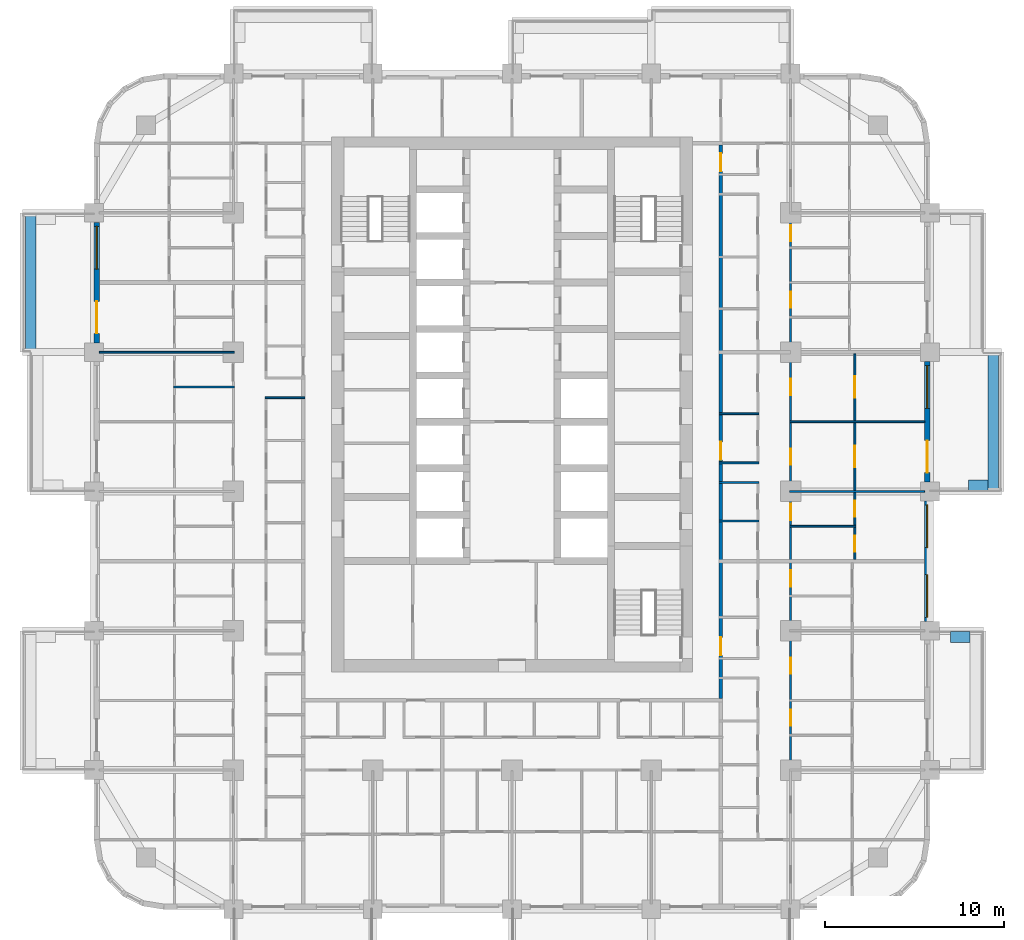
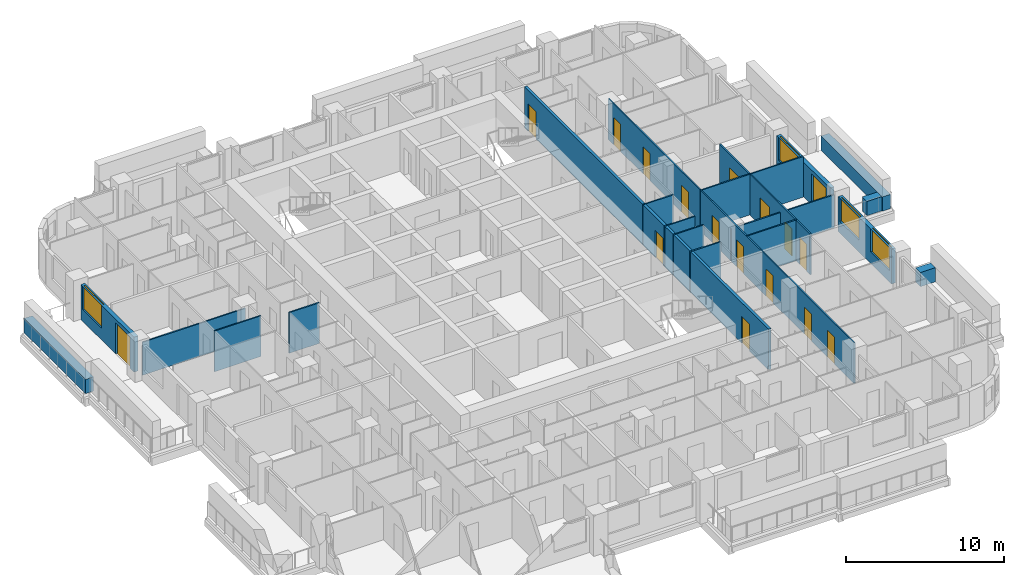
# One storey, part 9 of 18: 20 walls, 17 doors, 4 windows, 21 openings.
"""IFC4 building model written with IfcOpenShell, lengths in metres."""

import ifcopenshell
import ifcopenshell.guid

model = None  # the IFC model being written
_history = None  # IfcOwnerHistory: only IFC2X3 demands one
_inside = {}  # id of a spatial element -> (the spatial element, [elements in it])
_under = {}  # id of a project, library or spatial element -> (it, [spatial elements below it])
_declared = {}  # id of a project -> (the project, [libraries it declares])
_typed = {}  # id of a type object -> (the type object, [elements of that type])
_made_of = {}  # id of a material, layer set ... -> (it, [elements and type objects made of it])


def new_model(schema):
    """Start an empty IFC model of exactly this schema.

    Asked for "IFC4X3", IfcOpenShell would pick the latest addendum, in which some entities
    have other attributes; the version numbers below select the first issue.
    IFC2X3 requires an IfcOwnerHistory on every rooted entity: one is made here for all.
    """
    global model, _history
    if schema == "IFC4X3":
        model = ifcopenshell.file(schema_version=(4, 3, 0, 0))
    else:
        model = ifcopenshell.file(schema=schema)
    _inside.clear()
    _under.clear()
    _declared.clear()
    _typed.clear()
    _made_of.clear()
    _history = None
    if model.schema == "IFC2X3":
        org = make("IfcOrganization", Name="unknown")
        user = make(
            "IfcPersonAndOrganization",
            ThePerson=make("IfcPerson", FamilyName="unknown"),
            TheOrganization=org,
        )
        app = make(
            "IfcApplication",
            ApplicationDeveloper=org,
            Version="unknown",
            ApplicationFullName="unknown",
            ApplicationIdentifier="unknown",
        )
        _history = make(
            "IfcOwnerHistory",
            OwningUser=user,
            OwningApplication=app,
            ChangeAction="ADDED",
            CreationDate=0,
        )
    return model


def make(cls, **values):
    """One entity of the class cls with the attributes given. An attribute that is None is left unset."""
    return model.create_entity(
        cls, **{name: value for name, value in values.items() if value is not None}
    )


def rooted(cls, **values):
    """An entity with a GlobalId (a new one), such as an element, a storey or a relation."""
    return make(cls, GlobalId=ifcopenshell.guid.new(), OwnerHistory=_history, **values)


def si_unit(unit_type, name, prefix=None):
    """IfcSIUnit, for example si_unit("LENGTHUNIT", "METRE", prefix="MILLI")."""
    return make("IfcSIUnit", UnitType=unit_type, Prefix=prefix, Name=name)


def assignment(units):
    """IfcUnitAssignment: the units of a project."""
    return None if units is None else make("IfcUnitAssignment", Units=units)


def point(xyz):
    """IfcCartesianPoint."""
    return None if xyz is None else make("IfcCartesianPoint", Coordinates=xyz)


def direction(xyz):
    """IfcDirection."""
    return None if xyz is None else make("IfcDirection", DirectionRatios=xyz)


def frame(location, z_axis=None, x_axis=None):
    """IfcAxis2Placement3D, a coordinate frame: its origin and axes. An axis left out is left unset."""
    return make(
        "IfcAxis2Placement3D",
        Location=point(location),
        Axis=direction(z_axis),
        RefDirection=direction(x_axis),
    )


def frame_2d(location, x_axis=None):
    """IfcAxis2Placement2D, a coordinate frame in the plane: its origin and x axis."""
    return make(
        "IfcAxis2Placement2D", Location=point(location), RefDirection=direction(x_axis)
    )


def origin():
    """The frame at (0, 0, 0) with its axes left unset."""
    return frame((0.0, 0.0, 0.0))


def place(relative_to, where):
    """IfcLocalPlacement: puts the frame where relative to a parent placement (None: the world)."""
    return make(
        "IfcLocalPlacement", PlacementRelTo=relative_to, RelativePlacement=where
    )


def context(
    kind, dimensions, precision=None, world=None, true_north=None, identifier=None
):
    """IfcGeometricRepresentationContext, for example the 3D "Model" context."""
    return make(
        "IfcGeometricRepresentationContext",
        ContextIdentifier=identifier,
        ContextType=kind,
        CoordinateSpaceDimension=dimensions,
        Precision=precision,
        WorldCoordinateSystem=world,
        TrueNorth=true_north,
    )


def subcontext(parent, identifier, kind, view, scale=None):
    """IfcGeometricRepresentationSubContext, for example "Body" below "Model"."""
    return make(
        "IfcGeometricRepresentationSubContext",
        ContextIdentifier=identifier,
        ContextType=kind,
        ParentContext=parent,
        TargetScale=scale,
        TargetView=view,
    )


def project(units=None, contexts=None):
    """IfcProject with its units and contexts."""
    return rooted(
        "IfcProject",
        Name="project",
        RepresentationContexts=contexts,
        UnitsInContext=assignment(units),
    )


def spatial(cls, under=None, at=None, **own):
    """A site, building, storey or space (cls), placed at a placement, below another one or the project."""
    s = rooted(cls, ObjectPlacement=at, **own)
    if under is not None:
        _under.setdefault(under.id(), (under, []))[1].append(s)
    return s


def profile(cls, at=None, kind="AREA", **sizes):
    """A parametric profile (cls). Its sizes go by their IFC names, for example OverallWidth=200.0."""
    return make(cls, ProfileType=kind, Position=at, **sizes)


def rectangle(**sizes):
    """IfcRectangleProfileDef."""
    return profile("IfcRectangleProfileDef", **sizes)


def extrude(swept, where, along, depth):
    """IfcExtrudedAreaSolid: the profile swept, set in the frame where, extruded along a direction by depth."""
    return make(
        "IfcExtrudedAreaSolid",
        SweptArea=swept,
        Position=where,
        ExtrudedDirection=direction(along),
        Depth=depth,
    )


def shape(context_of_items, identifier, shape_type, items):
    """IfcShapeRepresentation: the items that make up one representation, for example the "Body"."""
    return make(
        "IfcShapeRepresentation",
        ContextOfItems=context_of_items,
        RepresentationIdentifier=identifier,
        RepresentationType=shape_type,
        Items=items,
    )


def material(Name=None, Category=None):
    """IfcMaterial."""
    return make("IfcMaterial", Name=Name, Category=Category)


def layer(
    of_material, thickness, ventilated=None, Name=None, Category=None, Priority=None
):
    """IfcMaterialLayer: one layer of a wall or slab, of a material (None: an air gap)."""
    return make(
        "IfcMaterialLayer",
        Material=of_material,
        LayerThickness=thickness,
        IsVentilated=ventilated,
        Name=Name,
        Category=Category,
        Priority=Priority,
    )


def layer_set(layers, Name=None):
    """IfcMaterialLayerSet."""
    return make("IfcMaterialLayerSet", MaterialLayers=layers, LayerSetName=Name)


def made_of(thing, what):
    """Note that an element or type object is made of a material, layer set ...; save() writes the relation."""
    if what is not None:
        _made_of.setdefault(what.id(), (what, []))[1].append(thing)
    return thing


def type_object(cls, material=None, **own):
    """A type object (cls), such as IfcWallType, which elements share."""
    return made_of(rooted(cls, **own), material)


def element(
    cls,
    number,
    at=None,
    inside=None,
    cuts=None,
    type_object=None,
    material=None,
    context=None,
    identifier="Body",
    shape_type=None,
    held_by="IfcProductDefinitionShape",
    body=None,
    shapes=None,
    **own,
):
    """One element of the class cls, such as IfcWall. Its Tag is "e" and its number.

    at: its placement. inside: the storey or other place that contains it. cuts: it is an
    opening in that element (IfcRelVoidsElement). A single representation is given by context,
    identifier, shape_type and body (its items); several are given by shapes. held_by: the class
    of the entity that holds the representations. save() writes the other relations.
    """
    e = rooted(cls, Tag="e%d" % number, ObjectPlacement=at, **own)
    if body is not None:
        shapes = [shape(context, identifier, shape_type, body)]
    if shapes is not None:
        e.Representation = make(held_by, Representations=shapes)
    if inside is not None:
        _inside.setdefault(inside.id(), (inside, []))[1].append(e)
    if cuts is not None:
        rooted(
            "IfcRelVoidsElement", RelatingBuildingElement=cuts, RelatedOpeningElement=e
        )
    if type_object is not None:
        _typed.setdefault(type_object.id(), (type_object, []))[1].append(e)
    return made_of(e, material)


def fill(opening, filler):
    """IfcRelFillsElement: the door or window that sits in an opening."""
    return rooted(
        "IfcRelFillsElement",
        RelatingOpeningElement=opening,
        RelatedBuildingElement=filler,
    )


def aggregate(whole, parts):
    """IfcRelAggregates: a whole, such as a stair, and the parts it consists of."""
    return rooted("IfcRelAggregates", RelatingObject=whole, RelatedObjects=parts)


def save(model, path):
    """Write the relations noted so far, then the file.

    IfcRelAggregates (storeys below a building ...), IfcRelContainedInSpatialStructure (elements
    in a storey), IfcRelDefinesByType, IfcRelAssociatesMaterial and IfcRelDeclares: one each for
    every whole, place, type object, material and project.
    """
    for whole, parts in _under.values():
        aggregate(whole, parts)
    for where, things in _inside.values():
        rooted(
            "IfcRelContainedInSpatialStructure",
            RelatedElements=things,
            RelatingStructure=where,
        )
    for kind, things in _typed.values():
        rooted("IfcRelDefinesByType", RelatedObjects=things, RelatingType=kind)
    for what, things in _made_of.values():
        rooted("IfcRelAssociatesMaterial", RelatedObjects=things, RelatingMaterial=what)
    for by, libraries in _declared.values():
        rooted("IfcRelDeclares", RelatingContext=by, RelatedDefinitions=libraries)
    model.write(path)


model = new_model("IFC4")

# Units and contexts
model_context = context("Model", 3, precision=1e-05, world=origin(), true_north=direction((0.0, 1.0)))
body_context = subcontext(model_context, "Body", "Model", "MODEL_VIEW")
ifc_project = project(units=[si_unit("LENGTHUNIT", "METRE"), si_unit("AREAUNIT", "SQUARE_METRE"), si_unit("VOLUMEUNIT", "CUBIC_METRE"), si_unit("PLANEANGLEUNIT", "RADIAN"), si_unit("MASSUNIT", "GRAM", prefix="KILO")], contexts=[model_context])

# Site, building, storey
site_placement = place(None, origin())
site = spatial("IfcSite", under=ifc_project, at=site_placement, CompositionType="ELEMENT")
building_placement = place(site_placement, origin())
building = spatial("IfcBuilding", under=site, at=building_placement, Name="Ludao Terraces", CompositionType="ELEMENT")
storey_placement = place(building_placement, frame((0.0, 0.0, 33.10009765625)))
storey = spatial("IfcBuildingStorey", under=building, at=storey_placement, Name="L08", CompositionType="ELEMENT", Elevation=33.10009765625)

# Walls
ifc_material_1 = material(Name="Concrete C40", Category="concrete")
ifc_layer_1 = layer(ifc_material_1, 0.60009765625)
ifc_layer_set_1 = layer_set([ifc_layer_1], Name="ENV Planter trough 600")
wall_type_1 = type_object("IfcWallType", Name="ENV Planter trough 600", PredefinedType="USERDEFINED", material=ifc_layer_set_1)
wall_1_placement = place(storey_placement, frame((110.64990234375, 56.85009765625, 0.0), z_axis=(0.0, 0.0, 1.0), x_axis=(-1.0, 0.0, 0.0)))
element("IfcWall", 1, at=wall_1_placement, inside=storey, type_object=wall_type_1, Name="PL-L08-E1-SB", ObjectType="PLANTER", PredefinedType="USERDEFINED", context=body_context, shape_type="SweptSolid", body=[
    extrude(rectangle(XDim=1.099853515625, YDim=0.60009765625, at=frame_2d((0.5498046875, 0.0))), origin(), (0.0, 0.0, 1.0), 1.099853515625),
])
wall_2_placement = place(storey_placement, frame((111.949951171875, 65.0, 0.0), z_axis=(0.0, 0.0, 1.0), x_axis=(0.0, 1.0, 0.0)))
element("IfcWall", 2, at=wall_2_placement, inside=storey, type_object=wall_type_1, Name="PL-L08-E3", ObjectType="PLANTER", PredefinedType="USERDEFINED", context=body_context, shape_type="SweptSolid", body=[
    extrude(rectangle(XDim=7.800048828125, YDim=0.60009765625, at=frame_2d((3.89990234375, 0.0))), origin(), (0.0, 0.0, 1.0), 1.099853515625),
])
wall_3_placement = place(storey_placement, frame((111.64990234375, 65.35009765625, 0.0), z_axis=(0.0, 0.0, 1.0), x_axis=(-1.0, 0.0, 0.0)))
element("IfcWall", 3, at=wall_3_placement, inside=storey, type_object=wall_type_1, Name="PL-L08-E3-SA", ObjectType="PLANTER", PredefinedType="USERDEFINED", context=body_context, shape_type="SweptSolid", body=[
    extrude(rectangle(XDim=1.099853515625, YDim=0.60009765625, at=frame_2d((0.5498046875, 0.0))), origin(), (0.0, 0.0, 1.0), 1.099853515625),
])
wall_4_placement = place(storey_placement, frame((58.050048828125, 72.800048828125, 0.0), z_axis=(0.0, 0.0, 1.0), x_axis=(0.0, 1.0, 0.0)))
element("IfcWall", 4, at=wall_4_placement, inside=storey, type_object=wall_type_1, Name="PL-L08-W4", ObjectType="PLANTER", PredefinedType="USERDEFINED", context=body_context, shape_type="SweptSolid", body=[
    extrude(rectangle(XDim=7.800048828125, YDim=0.60009765625, at=frame_2d((3.89990234375, 0.0))), origin(), (0.0, 0.0, 1.0), 1.099853515625),
])

# Wall, openings, windows
ifc_material_2 = material(Name="Granite cladding", Category="masonry")
ifc_layer_2 = layer(ifc_material_2, 0.0400390625, Category="stone")
ifc_material_3 = material(Name="Mineral wool")
ifc_layer_3 = layer(ifc_material_3, 0.06005859375)
ifc_layer_4 = layer(ifc_material_1, 0.199951171875, Category="concrete")
ifc_layer_set_2 = layer_set([ifc_layer_2, ifc_layer_3, ifc_layer_4], Name="ENV Stone-clad wall 300")
wall_type_2 = type_object("IfcWallType", Name="ENV Stone-clad wall 300", PredefinedType="SOLIDWALL", material=ifc_layer_set_2)
wall_5_placement = place(storey_placement, frame((108.25, 57.72509765625, 0.0), z_axis=(0.0, 0.0, 1.0), x_axis=(0.0, 1.0, 0.0)))
wall_5 = element("IfcWall", 5, at=wall_5_placement, inside=storey, type_object=wall_type_2, Name="EW-L08-E3", PredefinedType="SOLIDWALL", context=body_context, shape_type="SweptSolid", body=[
    extrude(rectangle(XDim=6.75, YDim=0.300048828125, at=frame_2d((3.375, 0.0))), origin(), (0.0, 0.0, 1.0), 2.699951171875),
])
opening_1_placement = place(wall_5_placement, frame((0.22509765625, 0.0, 0.89990234375)))
opening_1 = element("IfcOpeningElement", 6, at=opening_1_placement, cuts=wall_5, Name="Opening W1", PredefinedType="OPENING", context=body_context, shape_type="SweptSolid", body=[
    extrude(rectangle(XDim=2.39990234375, YDim=1.800048828125, at=frame_2d((1.199951171875, 0.89990234375))), frame((0.0, 0.16015625, 0.0), z_axis=(0.0, -1.0, 0.0), x_axis=(1.0, 0.0, 0.0)), (0.0, 0.0, 1.0), 0.320068359375),
])
opening_2_placement = place(wall_5_placement, frame((4.125, 0.0, 0.89990234375)))
opening_2 = element("IfcOpeningElement", 7, at=opening_2_placement, cuts=wall_5, Name="Opening W1", PredefinedType="OPENING", context=body_context, shape_type="SweptSolid", body=[
    extrude(rectangle(XDim=2.39990234375, YDim=1.800048828125, at=frame_2d((1.199951171875, 0.89990234375))), frame((0.0, 0.16015625, 0.0), z_axis=(0.0, -1.0, 0.0), x_axis=(1.0, 0.0, 0.0)), (0.0, 0.0, 1.0), 0.320068359375),
])
ifc_material_4 = material(Name="Clear glass in aluminium frame", Category="aluminium")
ifc_layer_5 = layer(ifc_material_4, 0.06005859375)
ifc_layer_set_3 = layer_set([ifc_layer_5], Name="ENV Window W1 2400x1800")
window_type = type_object("IfcWindowType", Name="ENV Window W1 2400x1800", PartitioningType="DOUBLE_PANEL_VERTICAL", PredefinedType="WINDOW", material=ifc_layer_set_3)
window_1_placement = place(opening_1_placement, origin())
window_1 = element("IfcWindow", 8, at=window_1_placement, inside=storey, type_object=window_type, Name="W-L08-E3-1", OverallHeight=1.800048828125, OverallWidth=2.39990234375, PartitioningType="DOUBLE_PANEL_VERTICAL", PredefinedType="WINDOW", context=body_context, shape_type="SweptSolid", body=[
    extrude(rectangle(XDim=2.39990234375, YDim=1.800048828125, at=frame_2d((1.199951171875, 0.89990234375))), frame((0.0, 0.030029296875, 0.0), z_axis=(0.0, -1.0, 0.0), x_axis=(1.0, 0.0, 0.0)), (0.0, 0.0, 1.0), 0.06005859375),
])
fill(opening_1, window_1)
window_2_placement = place(opening_2_placement, origin())
window_2 = element("IfcWindow", 9, at=window_2_placement, inside=storey, type_object=window_type, Name="W-L08-E3-2", OverallHeight=1.800048828125, OverallWidth=2.39990234375, PartitioningType="DOUBLE_PANEL_VERTICAL", PredefinedType="WINDOW", context=body_context, shape_type="SweptSolid", body=[
    extrude(rectangle(XDim=2.39990234375, YDim=1.800048828125, at=frame_2d((1.199951171875, 0.89990234375))), frame((0.0, 0.030029296875, 0.0), z_axis=(0.0, -1.0, 0.0), x_axis=(1.0, 0.0, 0.0)), (0.0, 0.0, 1.0), 0.06005859375),
])
fill(opening_2, window_2)

# Wall, openings, door, window
wall_6_placement = place(storey_placement, frame((108.25, 65.52490234375, 0.0), z_axis=(0.0, 0.0, 1.0), x_axis=(0.0, 1.0, 0.0)))
wall_6 = element("IfcWall", 10, at=wall_6_placement, inside=storey, type_object=wall_type_2, Name="EW-L08-E4", PredefinedType="SOLIDWALL", context=body_context, shape_type="SweptSolid", body=[
    extrude(rectangle(XDim=6.75, YDim=0.300048828125, at=frame_2d((3.375, 0.0))), origin(), (0.0, 0.0, 1.0), 2.699951171875),
])
opening_3_placement = place(wall_6_placement, frame((0.52490234375, 0.0, 0.0)))
opening_3 = element("IfcOpeningElement", 11, at=opening_3_placement, cuts=wall_6, Name="Opening BD", PredefinedType="OPENING", context=body_context, shape_type="SweptSolid", body=[
    extrude(rectangle(XDim=1.800048828125, YDim=2.39990234375, at=frame_2d((0.89990234375, 1.199951171875))), frame((0.0, 0.16015625, 0.0), z_axis=(0.0, -1.0, 0.0), x_axis=(1.0, 0.0, 0.0)), (0.0, 0.0, 1.0), 0.320068359375),
])
opening_4_placement = place(wall_6_placement, frame((4.125, 0.0, 0.89990234375)))
opening_4 = element("IfcOpeningElement", 12, at=opening_4_placement, cuts=wall_6, Name="Opening W1", PredefinedType="OPENING", context=body_context, shape_type="SweptSolid", body=[
    extrude(rectangle(XDim=2.39990234375, YDim=1.800048828125, at=frame_2d((1.199951171875, 0.89990234375))), frame((0.0, 0.16015625, 0.0), z_axis=(0.0, -1.0, 0.0), x_axis=(1.0, 0.0, 0.0)), (0.0, 0.0, 1.0), 0.320068359375),
])
ifc_material_5 = material(Name="Aluminium glazed door", Category="aluminium")
ifc_layer_6 = layer(ifc_material_5, 0.06005859375)
ifc_layer_set_4 = layer_set([ifc_layer_6], Name="ENV Balcony door BD 1800x2400")
door_type_1 = type_object("IfcDoorType", Name="ENV Balcony door BD 1800x2400", OperationType="DOUBLE_DOOR_SINGLE_SWING", PredefinedType="DOOR", material=ifc_layer_set_4)
door_1_placement = place(opening_3_placement, origin())
door_1 = element("IfcDoor", 13, at=door_1_placement, inside=storey, type_object=door_type_1, Name="BD-L08-E4-1", OperationType="DOUBLE_DOOR_SINGLE_SWING", OverallHeight=2.39990234375, OverallWidth=1.800048828125, PredefinedType="DOOR", context=body_context, shape_type="SweptSolid", body=[
    extrude(rectangle(XDim=1.800048828125, YDim=2.39990234375, at=frame_2d((0.89990234375, 1.199951171875))), frame((0.0, 0.02490234375, 0.0), z_axis=(0.0, -1.0, 0.0), x_axis=(1.0, 0.0, 0.0)), (0.0, 0.0, 1.0), 0.050048828125),
])
fill(opening_3, door_1)
window_3_placement = place(opening_4_placement, origin())
window_3 = element("IfcWindow", 14, at=window_3_placement, inside=storey, type_object=window_type, Name="W-L08-E4-2", OverallHeight=1.800048828125, OverallWidth=2.39990234375, PartitioningType="DOUBLE_PANEL_VERTICAL", PredefinedType="WINDOW", context=body_context, shape_type="SweptSolid", body=[
    extrude(rectangle(XDim=2.39990234375, YDim=1.800048828125, at=frame_2d((1.199951171875, 0.89990234375))), frame((0.0, 0.030029296875, 0.0), z_axis=(0.0, -1.0, 0.0), x_axis=(1.0, 0.0, 0.0)), (0.0, 0.0, 1.0), 0.06005859375),
])
fill(opening_4, window_3)

wall_7_placement = place(storey_placement, frame((61.75, 73.324951171875, 0.0), z_axis=(0.0, 0.0, 1.0), x_axis=(0.0, 1.0, 0.0)))
wall_7 = element("IfcWall", 15, at=wall_7_placement, inside=storey, type_object=wall_type_2, Name="EW-L08-W5", PredefinedType="SOLIDWALL", context=body_context, shape_type="SweptSolid", body=[
    extrude(rectangle(XDim=6.75, YDim=0.300048828125, at=frame_2d((3.375, 0.0))), origin(), (0.0, 0.0, 1.0), 2.699951171875),
])
opening_5_placement = place(wall_7_placement, frame((0.52490234375, 0.0, 0.0)))
opening_5 = element("IfcOpeningElement", 16, at=opening_5_placement, cuts=wall_7, Name="Opening BD", PredefinedType="OPENING", context=body_context, shape_type="SweptSolid", body=[
    extrude(rectangle(XDim=1.800048828125, YDim=2.39990234375, at=frame_2d((0.89990234375, 1.199951171875))), frame((0.0, 0.16015625, 0.0), z_axis=(0.0, -1.0, 0.0), x_axis=(1.0, 0.0, 0.0)), (0.0, 0.0, 1.0), 0.320068359375),
])
opening_6_placement = place(wall_7_placement, frame((4.125, 0.0, 0.89990234375)))
opening_6 = element("IfcOpeningElement", 17, at=opening_6_placement, cuts=wall_7, Name="Opening W1", PredefinedType="OPENING", context=body_context, shape_type="SweptSolid", body=[
    extrude(rectangle(XDim=2.39990234375, YDim=1.800048828125, at=frame_2d((1.199951171875, 0.89990234375))), frame((0.0, 0.16015625, 0.0), z_axis=(0.0, -1.0, 0.0), x_axis=(1.0, 0.0, 0.0)), (0.0, 0.0, 1.0), 0.320068359375),
])
door_2_placement = place(opening_5_placement, origin())
door_2 = element("IfcDoor", 18, at=door_2_placement, inside=storey, type_object=door_type_1, Name="BD-L08-W5-1", OperationType="DOUBLE_DOOR_SINGLE_SWING", OverallHeight=2.39990234375, OverallWidth=1.800048828125, PredefinedType="DOOR", context=body_context, shape_type="SweptSolid", body=[
    extrude(rectangle(XDim=1.800048828125, YDim=2.39990234375, at=frame_2d((0.89990234375, 1.199951171875))), frame((0.0, 0.02490234375, 0.0), z_axis=(0.0, -1.0, 0.0), x_axis=(1.0, 0.0, 0.0)), (0.0, 0.0, 1.0), 0.050048828125),
])
fill(opening_5, door_2)
window_4_placement = place(opening_6_placement, origin())
window_4 = element("IfcWindow", 19, at=window_4_placement, inside=storey, type_object=window_type, Name="W-L08-W5-2", OverallHeight=1.800048828125, OverallWidth=2.39990234375, PartitioningType="DOUBLE_PANEL_VERTICAL", PredefinedType="WINDOW", context=body_context, shape_type="SweptSolid", body=[
    extrude(rectangle(XDim=2.39990234375, YDim=1.800048828125, at=frame_2d((1.199951171875, 0.89990234375))), frame((0.0, 0.030029296875, 0.0), z_axis=(0.0, -1.0, 0.0), x_axis=(1.0, 0.0, 0.0)), (0.0, 0.0, 1.0), 0.06005859375),
])
fill(opening_6, window_4)

# Wall, openings, doors
ifc_material_6 = material(Name="Autoclaved aerated concrete block B06 A3.5", Category="concrete")
ifc_layer_7 = layer(ifc_material_6, 0.199951171875)
ifc_layer_set_5 = layer_set([ifc_layer_7], Name="INT Entrance wall 200")
wall_type_3 = type_object("IfcWallType", Name="INT Entrance wall 200", PredefinedType="PARTITIONING", material=ifc_layer_set_5)
wall_8_placement = place(storey_placement, frame((96.699951171875, 53.400146484375, 0.0), z_axis=(0.0, 0.0, 1.0), x_axis=(0.0, 1.0, 0.0)))
wall_8 = element("IfcWall", 20, at=wall_8_placement, inside=storey, type_object=wall_type_3, Name="PW-L08-PW116", PredefinedType="PARTITIONING", context=body_context, shape_type="SweptSolid", body=[
    extrude(rectangle(XDim=31.0, YDim=0.199951171875, at=frame_2d((15.5, 0.0))), origin(), (0.0, 0.0, 1.0), 3.14990234375),
])
opening_7_placement = place(wall_8_placement, frame((2.425048828125, 0.0, 0.0)))
opening_7 = element("IfcOpeningElement", 21, at=opening_7_placement, cuts=wall_8, Name="Opening R02-057", PredefinedType="OPENING", context=body_context, shape_type="SweptSolid", body=[
    extrude(rectangle(XDim=1.0, YDim=2.10009765625, at=frame_2d((0.5, 1.050048828125))), frame((0.0, 0.10986328125, 0.0), z_axis=(0.0, -1.0, 0.0), x_axis=(1.0, 0.0, 0.0)), (0.0, 0.0, 1.0), 0.219970703125),
])
opening_8_placement = place(wall_8_placement, frame((13.375, 0.0, 0.0)))
opening_8 = element("IfcOpeningElement", 22, at=opening_8_placement, cuts=wall_8, Name="Opening R02-093", PredefinedType="OPENING", context=body_context, shape_type="SweptSolid", body=[
    extrude(rectangle(XDim=1.0, YDim=2.10009765625, at=frame_2d((0.5, 1.050048828125))), frame((0.0, 0.10986328125, 0.0), z_axis=(0.0, -1.0, 0.0), x_axis=(1.0, 0.0, 0.0)), (0.0, 0.0, 1.0), 0.219970703125),
])
opening_9_placement = place(wall_8_placement, frame((29.52490234375, 0.0, 0.0)))
opening_9 = element("IfcOpeningElement", 23, at=opening_9_placement, cuts=wall_8, Name="Opening R02-151", PredefinedType="OPENING", context=body_context, shape_type="SweptSolid", body=[
    extrude(rectangle(XDim=1.0, YDim=2.10009765625, at=frame_2d((0.5, 1.050048828125))), frame((0.0, 0.10986328125, 0.0), z_axis=(0.0, -1.0, 0.0), x_axis=(1.0, 0.0, 0.0)), (0.0, 0.0, 1.0), 0.219970703125),
])
ifc_material_7 = material(Name="Steel Q235", Category="steel")
door_type_2 = type_object("IfcDoorType", Name="INT Flat entrance door 1000", OperationType="SINGLE_SWING_LEFT", PredefinedType="DOOR", material=ifc_material_7)
door_3_placement = place(opening_7_placement, origin())
door_3 = element("IfcDoor", 24, at=door_3_placement, inside=storey, type_object=door_type_2, Name="DOOR 057", OperationType="SINGLE_SWING_LEFT", OverallHeight=2.10009765625, OverallWidth=1.0, PredefinedType="DOOR", context=body_context, shape_type="SweptSolid", body=[
    extrude(rectangle(XDim=1.0, YDim=2.10009765625, at=frame_2d((0.5, 1.050048828125))), frame((0.0, 0.02490234375, 0.0), z_axis=(0.0, -1.0, 0.0), x_axis=(1.0, 0.0, 0.0)), (0.0, 0.0, 1.0), 0.050048828125),
])
fill(opening_7, door_3)
door_4_placement = place(opening_8_placement, origin())
door_4 = element("IfcDoor", 25, at=door_4_placement, inside=storey, type_object=door_type_2, Name="DOOR 093", OperationType="SINGLE_SWING_LEFT", OverallHeight=2.10009765625, OverallWidth=1.0, PredefinedType="DOOR", context=body_context, shape_type="SweptSolid", body=[
    extrude(rectangle(XDim=1.0, YDim=2.10009765625, at=frame_2d((0.5, 1.050048828125))), frame((0.0, 0.02490234375, 0.0), z_axis=(0.0, -1.0, 0.0), x_axis=(1.0, 0.0, 0.0)), (0.0, 0.0, 1.0), 0.050048828125),
])
fill(opening_8, door_4)
door_5_placement = place(opening_9_placement, origin())
door_5 = element("IfcDoor", 26, at=door_5_placement, inside=storey, type_object=door_type_2, Name="DOOR 151", OperationType="SINGLE_SWING_LEFT", OverallHeight=2.10009765625, OverallWidth=1.0, PredefinedType="DOOR", context=body_context, shape_type="SweptSolid", body=[
    extrude(rectangle(XDim=1.0, YDim=2.10009765625, at=frame_2d((0.5, 1.050048828125))), frame((0.0, 0.02490234375, 0.0), z_axis=(0.0, -1.0, 0.0), x_axis=(1.0, 0.0, 0.0)), (0.0, 0.0, 1.0), 0.050048828125),
])
fill(opening_9, door_5)

# Walls
ifc_material_8 = material(Name="Gypsum plasterboard", Category="gypsum")
ifc_layer_8 = layer(ifc_material_8, 0.012451171875, Category="gypsum")
ifc_layer_9 = layer(ifc_material_3, 0.06005859375, Name="insulation")
ifc_layer_10 = layer(ifc_material_7, 0.014892578125, Name="stud")
ifc_layer_11 = layer(ifc_material_8, 0.012451171875, Category="gypsum")
ifc_layer_set_6 = layer_set([ifc_layer_8, ifc_layer_9, ifc_layer_10, ifc_layer_11], Name="INT Partition 100")
wall_type_4 = type_object("IfcWallType", Name="INT Partition 100", PredefinedType="PARTITIONING", material=ifc_layer_set_6)
wall_9_placement = place(storey_placement, frame((100.550048828125, 63.050048828125, 0.0), z_axis=(0.0, 0.0, 1.0), x_axis=(1.0, 0.0, 0.0)))
element("IfcWall", 27, at=wall_9_placement, inside=storey, type_object=wall_type_4, Name="PW-L08-PW035", PredefinedType="PARTITIONING", context=body_context, shape_type="SweptSolid", body=[
    extrude(rectangle(XDim=3.699951171875, YDim=0.10009765625, at=frame_2d((1.85009765625, 0.0))), origin(), (0.0, 0.0, 1.0), 3.14990234375),
])
wall_10_placement = place(storey_placement, frame((96.60009765625, 63.35009765625, 0.0), z_axis=(0.0, 0.0, 1.0), x_axis=(1.0, 0.0, 0.0)))
element("IfcWall", 28, at=wall_10_placement, inside=storey, type_object=wall_type_4, Name="PW-L08-PW037", PredefinedType="PARTITIONING", context=body_context, shape_type="SweptSolid", body=[
    extrude(rectangle(XDim=2.219970703125, YDim=0.10009765625, at=frame_2d((1.10986328125, 0.0))), origin(), (0.0, 0.0, 1.0), 3.14990234375),
])
wall_11_placement = place(storey_placement, frame((100.550048828125, 65.0, 0.0), z_axis=(0.0, 0.0, 1.0), x_axis=(1.0, 0.0, 0.0)))
element("IfcWall", 29, at=wall_11_placement, inside=storey, type_object=wall_type_4, Name="PW-L08-PW039", PredefinedType="PARTITIONING", context=body_context, shape_type="SweptSolid", body=[
    extrude(rectangle(XDim=7.550048828125, YDim=0.10009765625, at=frame_2d((3.77490234375, 0.0))), origin(), (0.0, 0.0, 1.0), 2.5498046875),
])
for number, where, z_axis, x_axis, name in (
    (30, (96.60009765625, 65.5, 0.0), (0.0, 0.0, 1.0), (1.0, 0.0, 0.0), "PW-L08-PW040"),
    (31, (96.60009765625, 66.60009765625, 0.0), (0.0, 0.0, 1.0), (1.0, 0.0, 0.0), "PW-L08-PW042"),
):
    element("IfcWall", number, at=place(storey_placement, frame(where, z_axis=z_axis, x_axis=x_axis)), inside=storey, type_object=wall_type_4, Name=name, PredefinedType="PARTITIONING", context=body_context, shape_type="SweptSolid", body=[
        extrude(rectangle(XDim=2.219970703125, YDim=0.10009765625, at=frame_2d((1.10986328125, 0.0))), origin(), (0.0, 0.0, 1.0), 3.14990234375),
    ])
wall_12_placement = place(storey_placement, frame((100.550048828125, 68.89990234375, 0.0), z_axis=(0.0, 0.0, 1.0), x_axis=(1.0, 0.0, 0.0)))
element("IfcWall", 32, at=wall_12_placement, inside=storey, type_object=wall_type_4, Name="PW-L08-PW048", PredefinedType="PARTITIONING", context=body_context, shape_type="SweptSolid", body=[
    extrude(rectangle(XDim=7.550048828125, YDim=0.10009765625, at=frame_2d((3.77490234375, 0.0))), origin(), (0.0, 0.0, 1.0), 3.14990234375),
])
for number, where, z_axis, x_axis, name in (
    (33, (96.60009765625, 69.35009765625, 0.0), (0.0, 0.0, 1.0), (1.0, 0.0, 0.0), "PW-L08-PW049"),
    (34, (71.18017578125, 70.25, 0.0), (0.0, 0.0, 1.0), (1.0, 0.0, 0.0), "PW-L08-PW050"),
):
    element("IfcWall", number, at=place(storey_placement, frame(where, z_axis=z_axis, x_axis=x_axis)), inside=storey, type_object=wall_type_4, Name=name, PredefinedType="PARTITIONING", context=body_context, shape_type="SweptSolid", body=[
        extrude(rectangle(XDim=2.219970703125, YDim=0.10009765625, at=frame_2d((1.10986328125, 0.0))), origin(), (0.0, 0.0, 1.0), 3.14990234375),
    ])
wall_13_placement = place(storey_placement, frame((66.050048828125, 70.85009765625, 0.0), z_axis=(0.0, 0.0, 1.0), x_axis=(1.0, 0.0, 0.0)))
element("IfcWall", 35, at=wall_13_placement, inside=storey, type_object=wall_type_4, Name="PW-L08-PW053", PredefinedType="PARTITIONING", context=body_context, shape_type="SweptSolid", body=[
    extrude(rectangle(XDim=3.400146484375, YDim=0.10009765625, at=frame_2d((1.7001953125, 0.0))), origin(), (0.0, 0.0, 1.0), 3.14990234375),
])
wall_14_placement = place(storey_placement, frame((61.900146484375, 72.800048828125, 0.0), z_axis=(0.0, 0.0, 1.0), x_axis=(1.0, 0.0, 0.0)))
element("IfcWall", 36, at=wall_14_placement, inside=storey, type_object=wall_type_4, Name="PW-L08-PW055", PredefinedType="PARTITIONING", context=body_context, shape_type="SweptSolid", body=[
    extrude(rectangle(XDim=7.550048828125, YDim=0.10009765625, at=frame_2d((3.77490234375, 0.0))), origin(), (0.0, 0.0, 1.0), 2.5498046875),
])

# Wall, openings, doors
wall_15_placement = place(storey_placement, frame((100.60009765625, 49.39990234375, 0.0), z_axis=(0.0, 0.0, 1.0), x_axis=(0.0, 1.0, 0.0)))
wall_15 = element("IfcWall", 37, at=wall_15_placement, inside=storey, type_object=wall_type_4, Name="PW-L08-PW122-2", PredefinedType="PARTITIONING", context=body_context, shape_type="SweptSolid", body=[
    extrude(rectangle(XDim=31.2001953125, YDim=0.10009765625, at=frame_2d((15.60009765625, 0.0))), origin(), (0.0, 0.0, 1.0), 3.14990234375),
])
opening_10_placement = place(wall_15_placement, frame((2.47509765625, 0.0, 0.0)))
opening_10 = element("IfcOpeningElement", 38, at=opening_10_placement, cuts=wall_15, Name="Opening R02-045", PredefinedType="OPENING", context=body_context, shape_type="SweptSolid", body=[
    extrude(rectangle(XDim=0.89990234375, YDim=2.10009765625, at=frame_2d((0.449951171875, 1.050048828125))), frame((0.0, 0.06005859375, 0.0), z_axis=(0.0, -1.0, 0.0), x_axis=(1.0, 0.0, 0.0)), (0.0, 0.0, 1.0), 0.1201171875),
])
opening_11_placement = place(wall_15_placement, frame((5.400146484375, 0.0, 0.0)))
opening_11 = element("IfcOpeningElement", 39, at=opening_11_placement, cuts=wall_15, Name="Opening R02-054", PredefinedType="OPENING", context=body_context, shape_type="SweptSolid", body=[
    extrude(rectangle(XDim=0.89990234375, YDim=2.10009765625, at=frame_2d((0.449951171875, 1.050048828125))), frame((0.0, 0.06005859375, 0.0), z_axis=(0.0, -1.0, 0.0), x_axis=(1.0, 0.0, 0.0)), (0.0, 0.0, 1.0), 0.1201171875),
])
opening_12_placement = place(wall_15_placement, frame((10.275146484375, 0.0, 0.0)))
opening_12 = element("IfcOpeningElement", 40, at=opening_12_placement, cuts=wall_15, Name="Opening R02-069", PredefinedType="OPENING", context=body_context, shape_type="SweptSolid", body=[
    extrude(rectangle(XDim=0.89990234375, YDim=2.10009765625, at=frame_2d((0.449951171875, 1.050048828125))), frame((0.0, 0.06005859375, 0.0), z_axis=(0.0, -1.0, 0.0), x_axis=(1.0, 0.0, 0.0)), (0.0, 0.0, 1.0), 0.1201171875),
])
opening_13_placement = place(wall_15_placement, frame((14.000244140625, 0.0, 0.0)))
opening_13 = element("IfcOpeningElement", 41, at=opening_13_placement, cuts=wall_15, Name="Opening R02-080", PredefinedType="OPENING", context=body_context, shape_type="SweptSolid", body=[
    extrude(rectangle(XDim=0.89990234375, YDim=2.10009765625, at=frame_2d((0.449951171875, 1.050048828125))), frame((0.0, 0.06005859375, 0.0), z_axis=(0.0, -1.0, 0.0), x_axis=(1.0, 0.0, 0.0)), (0.0, 0.0, 1.0), 0.1201171875),
])
opening_14_placement = place(wall_15_placement, frame((17.10009765625, 0.0, 0.0)))
opening_14 = element("IfcOpeningElement", 42, at=opening_14_placement, cuts=wall_15, Name="Opening R02-091", PredefinedType="OPENING", context=body_context, shape_type="SweptSolid", body=[
    extrude(rectangle(XDim=0.89990234375, YDim=2.10009765625, at=frame_2d((0.449951171875, 1.050048828125))), frame((0.0, 0.06005859375, 0.0), z_axis=(0.0, -1.0, 0.0), x_axis=(1.0, 0.0, 0.0)), (0.0, 0.0, 1.0), 0.1201171875),
])
opening_15_placement = place(wall_15_placement, frame((21.000244140625, 0.0, 0.0)))
opening_15 = element("IfcOpeningElement", 43, at=opening_15_placement, cuts=wall_15, Name="Opening R02-102", PredefinedType="OPENING", context=body_context, shape_type="SweptSolid", body=[
    extrude(rectangle(XDim=0.89990234375, YDim=2.10009765625, at=frame_2d((0.449951171875, 1.050048828125))), frame((0.0, 0.06005859375, 0.0), z_axis=(0.0, -1.0, 0.0), x_axis=(1.0, 0.0, 0.0)), (0.0, 0.0, 1.0), 0.1201171875),
])
opening_16_placement = place(wall_15_placement, frame((25.875244140625, 0.0, 0.0)))
opening_16 = element("IfcOpeningElement", 44, at=opening_16_placement, cuts=wall_15, Name="Opening R02-124", PredefinedType="OPENING", context=body_context, shape_type="SweptSolid", body=[
    extrude(rectangle(XDim=0.89990234375, YDim=2.10009765625, at=frame_2d((0.449951171875, 1.050048828125))), frame((0.0, 0.06005859375, 0.0), z_axis=(0.0, -1.0, 0.0), x_axis=(1.0, 0.0, 0.0)), (0.0, 0.0, 1.0), 0.1201171875),
])
opening_17_placement = place(wall_15_placement, frame((29.60009765625, 0.0, 0.0)))
opening_17 = element("IfcOpeningElement", 45, at=opening_17_placement, cuts=wall_15, Name="Opening R02-136", PredefinedType="OPENING", context=body_context, shape_type="SweptSolid", body=[
    extrude(rectangle(XDim=0.89990234375, YDim=2.10009765625, at=frame_2d((0.449951171875, 1.050048828125))), frame((0.0, 0.06005859375, 0.0), z_axis=(0.0, -1.0, 0.0), x_axis=(1.0, 0.0, 0.0)), (0.0, 0.0, 1.0), 0.1201171875),
])
ifc_material_9 = material(Name="Timber door leaf", Category="wood")
door_type_3 = type_object("IfcDoorType", Name="INT Room door 900", OperationType="SINGLE_SWING_LEFT", PredefinedType="DOOR", material=ifc_material_9)
door_6_placement = place(opening_10_placement, origin())
door_6 = element("IfcDoor", 46, at=door_6_placement, inside=storey, type_object=door_type_3, Name="DOOR 045", OperationType="SINGLE_SWING_RIGHT", OverallHeight=2.10009765625, OverallWidth=0.89990234375, PredefinedType="DOOR", context=body_context, shape_type="SweptSolid", body=[
    extrude(rectangle(XDim=0.89990234375, YDim=2.10009765625, at=frame_2d((0.449951171875, 1.050048828125))), frame((0.0, 0.02490234375, 0.0), z_axis=(0.0, -1.0, 0.0), x_axis=(1.0, 0.0, 0.0)), (0.0, 0.0, 1.0), 0.050048828125),
])
fill(opening_10, door_6)
door_7_placement = place(opening_11_placement, origin())
door_7 = element("IfcDoor", 47, at=door_7_placement, inside=storey, type_object=door_type_3, Name="DOOR 054", OperationType="SINGLE_SWING_RIGHT", OverallHeight=2.10009765625, OverallWidth=0.89990234375, PredefinedType="DOOR", context=body_context, shape_type="SweptSolid", body=[
    extrude(rectangle(XDim=0.89990234375, YDim=2.10009765625, at=frame_2d((0.449951171875, 1.050048828125))), frame((0.0, 0.02490234375, 0.0), z_axis=(0.0, -1.0, 0.0), x_axis=(1.0, 0.0, 0.0)), (0.0, 0.0, 1.0), 0.050048828125),
])
fill(opening_11, door_7)
door_8_placement = place(opening_12_placement, origin())
door_8 = element("IfcDoor", 48, at=door_8_placement, inside=storey, type_object=door_type_3, Name="DOOR 069", OperationType="SINGLE_SWING_LEFT", OverallHeight=2.10009765625, OverallWidth=0.89990234375, PredefinedType="DOOR", context=body_context, shape_type="SweptSolid", body=[
    extrude(rectangle(XDim=0.89990234375, YDim=2.10009765625, at=frame_2d((0.449951171875, 1.050048828125))), frame((0.0, 0.02490234375, 0.0), z_axis=(0.0, -1.0, 0.0), x_axis=(1.0, 0.0, 0.0)), (0.0, 0.0, 1.0), 0.050048828125),
])
fill(opening_12, door_8)
door_9_placement = place(opening_13_placement, origin())
door_9 = element("IfcDoor", 49, at=door_9_placement, inside=storey, type_object=door_type_3, Name="DOOR 080", OperationType="SINGLE_SWING_RIGHT", OverallHeight=2.10009765625, OverallWidth=0.89990234375, PredefinedType="DOOR", context=body_context, shape_type="SweptSolid", body=[
    extrude(rectangle(XDim=0.89990234375, YDim=2.10009765625, at=frame_2d((0.449951171875, 1.050048828125))), frame((0.0, 0.02490234375, 0.0), z_axis=(0.0, -1.0, 0.0), x_axis=(1.0, 0.0, 0.0)), (0.0, 0.0, 1.0), 0.050048828125),
])
fill(opening_13, door_9)
door_10_placement = place(opening_14_placement, origin())
door_10 = element("IfcDoor", 50, at=door_10_placement, inside=storey, type_object=door_type_3, Name="DOOR 091", OperationType="SINGLE_SWING_RIGHT", OverallHeight=2.10009765625, OverallWidth=0.89990234375, PredefinedType="DOOR", context=body_context, shape_type="SweptSolid", body=[
    extrude(rectangle(XDim=0.89990234375, YDim=2.10009765625, at=frame_2d((0.449951171875, 1.050048828125))), frame((0.0, 0.02490234375, 0.0), z_axis=(0.0, -1.0, 0.0), x_axis=(1.0, 0.0, 0.0)), (0.0, 0.0, 1.0), 0.050048828125),
])
fill(opening_14, door_10)
door_11_placement = place(opening_15_placement, origin())
door_11 = element("IfcDoor", 51, at=door_11_placement, inside=storey, type_object=door_type_3, Name="DOOR 102", OperationType="SINGLE_SWING_RIGHT", OverallHeight=2.10009765625, OverallWidth=0.89990234375, PredefinedType="DOOR", context=body_context, shape_type="SweptSolid", body=[
    extrude(rectangle(XDim=0.89990234375, YDim=2.10009765625, at=frame_2d((0.449951171875, 1.050048828125))), frame((0.0, 0.02490234375, 0.0), z_axis=(0.0, -1.0, 0.0), x_axis=(1.0, 0.0, 0.0)), (0.0, 0.0, 1.0), 0.050048828125),
])
fill(opening_15, door_11)
door_12_placement = place(opening_16_placement, origin())
door_12 = element("IfcDoor", 52, at=door_12_placement, inside=storey, type_object=door_type_3, Name="DOOR 124", OperationType="SINGLE_SWING_LEFT", OverallHeight=2.10009765625, OverallWidth=0.89990234375, PredefinedType="DOOR", context=body_context, shape_type="SweptSolid", body=[
    extrude(rectangle(XDim=0.89990234375, YDim=2.10009765625, at=frame_2d((0.449951171875, 1.050048828125))), frame((0.0, 0.02490234375, 0.0), z_axis=(0.0, -1.0, 0.0), x_axis=(1.0, 0.0, 0.0)), (0.0, 0.0, 1.0), 0.050048828125),
])
fill(opening_16, door_12)
door_13_placement = place(opening_17_placement, origin())
door_13 = element("IfcDoor", 53, at=door_13_placement, inside=storey, type_object=door_type_3, Name="DOOR 136", OperationType="SINGLE_SWING_RIGHT", OverallHeight=2.10009765625, OverallWidth=0.89990234375, PredefinedType="DOOR", context=body_context, shape_type="SweptSolid", body=[
    extrude(rectangle(XDim=0.89990234375, YDim=2.10009765625, at=frame_2d((0.449951171875, 1.050048828125))), frame((0.0, 0.02490234375, 0.0), z_axis=(0.0, -1.0, 0.0), x_axis=(1.0, 0.0, 0.0)), (0.0, 0.0, 1.0), 0.050048828125),
])
fill(opening_17, door_13)

wall_16_placement = place(storey_placement, frame((104.199951171875, 61.2001953125, 0.0), z_axis=(0.0, 0.0, 1.0), x_axis=(0.0, 1.0, 0.0)))
wall_16 = element("IfcWall", 54, at=wall_16_placement, inside=storey, type_object=wall_type_4, Name="PW-L08-PW125", PredefinedType="PARTITIONING", context=body_context, shape_type="SweptSolid", body=[
    extrude(rectangle(XDim=11.5, YDim=0.10009765625, at=frame_2d((5.75, 0.0))), origin(), (0.0, 0.0, 1.0), 3.14990234375),
])
opening_18_placement = place(wall_16_placement, frame((0.4248046875, 0.0, 0.0)))
opening_18 = element("IfcOpeningElement", 55, at=opening_18_placement, cuts=wall_16, Name="Opening R02-073", PredefinedType="OPENING", context=body_context, shape_type="SweptSolid", body=[
    extrude(rectangle(XDim=0.89990234375, YDim=2.10009765625, at=frame_2d((0.449951171875, 1.050048828125))), frame((0.0, 0.06005859375, 0.0), z_axis=(0.0, -1.0, 0.0), x_axis=(1.0, 0.0, 0.0)), (0.0, 0.0, 1.0), 0.1201171875),
])
opening_19_placement = place(wall_16_placement, frame((2.375, 0.0, 0.0)))
opening_19 = element("IfcOpeningElement", 56, at=opening_19_placement, cuts=wall_16, Name="Opening R02-082", PredefinedType="OPENING", context=body_context, shape_type="SweptSolid", body=[
    extrude(rectangle(XDim=0.89990234375, YDim=2.10009765625, at=frame_2d((0.449951171875, 1.050048828125))), frame((0.0, 0.06005859375, 0.0), z_axis=(0.0, -1.0, 0.0), x_axis=(1.0, 0.0, 0.0)), (0.0, 0.0, 1.0), 0.1201171875),
])
opening_20_placement = place(wall_16_placement, frame((5.14990234375, 0.0, 0.0)))
opening_20 = element("IfcOpeningElement", 57, at=opening_20_placement, cuts=wall_16, Name="Opening R02-092", PredefinedType="OPENING", context=body_context, shape_type="SweptSolid", body=[
    extrude(rectangle(XDim=1.199951171875, YDim=2.10009765625, at=frame_2d((0.60009765625, 1.050048828125))), frame((0.0, 0.06005859375, 0.0), z_axis=(0.0, -1.0, 0.0), x_axis=(1.0, 0.0, 0.0)), (0.0, 0.0, 1.0), 0.1201171875),
])
opening_21_placement = place(wall_16_placement, frame((9.0498046875, 0.0, 0.0)))
opening_21 = element("IfcOpeningElement", 58, at=opening_21_placement, cuts=wall_16, Name="Opening R02-103", PredefinedType="OPENING", context=body_context, shape_type="SweptSolid", body=[
    extrude(rectangle(XDim=1.199951171875, YDim=2.10009765625, at=frame_2d((0.60009765625, 1.050048828125))), frame((0.0, 0.06005859375, 0.0), z_axis=(0.0, -1.0, 0.0), x_axis=(1.0, 0.0, 0.0)), (0.0, 0.0, 1.0), 0.1201171875),
])
door_type_4 = type_object("IfcDoorType", Name="INT Bathroom door 900", OperationType="SINGLE_SWING_LEFT", PredefinedType="DOOR", material=ifc_material_9)
door_14_placement = place(opening_18_placement, origin())
door_14 = element("IfcDoor", 59, at=door_14_placement, inside=storey, type_object=door_type_4, Name="DOOR 073", OperationType="SINGLE_SWING_LEFT", OverallHeight=2.10009765625, OverallWidth=0.89990234375, PredefinedType="DOOR", context=body_context, shape_type="SweptSolid", body=[
    extrude(rectangle(XDim=0.89990234375, YDim=2.10009765625, at=frame_2d((0.449951171875, 1.050048828125))), frame((0.0, 0.02490234375, 0.0), z_axis=(0.0, -1.0, 0.0), x_axis=(1.0, 0.0, 0.0)), (0.0, 0.0, 1.0), 0.050048828125),
])
fill(opening_18, door_14)
door_type_5 = type_object("IfcDoorType", Name="INT Double door 1200", OperationType="DOUBLE_DOOR_SINGLE_SWING", PredefinedType="DOOR", material=ifc_material_9)
door_15_placement = place(opening_20_placement, origin())
door_15 = element("IfcDoor", 60, at=door_15_placement, inside=storey, type_object=door_type_5, Name="DOOR 092", OperationType="DOUBLE_DOOR_SINGLE_SWING", OverallHeight=2.10009765625, OverallWidth=1.199951171875, PredefinedType="DOOR", context=body_context, shape_type="SweptSolid", body=[
    extrude(rectangle(XDim=1.199951171875, YDim=2.10009765625, at=frame_2d((0.60009765625, 1.050048828125))), frame((0.0, 0.02490234375, 0.0), z_axis=(0.0, -1.0, 0.0), x_axis=(1.0, 0.0, 0.0)), (0.0, 0.0, 1.0), 0.050048828125),
])
fill(opening_20, door_15)
door_16_placement = place(opening_21_placement, origin())
door_16 = element("IfcDoor", 61, at=door_16_placement, inside=storey, type_object=door_type_5, Name="DOOR 103", OperationType="DOUBLE_DOOR_SINGLE_SWING", OverallHeight=2.10009765625, OverallWidth=1.199951171875, PredefinedType="DOOR", context=body_context, shape_type="SweptSolid", body=[
    extrude(rectangle(XDim=1.199951171875, YDim=2.10009765625, at=frame_2d((0.60009765625, 1.050048828125))), frame((0.0, 0.02490234375, 0.0), z_axis=(0.0, -1.0, 0.0), x_axis=(1.0, 0.0, 0.0)), (0.0, 0.0, 1.0), 0.050048828125),
])
fill(opening_21, door_16)
door_17_placement = place(opening_19_placement, origin())
door_17 = element("IfcDoor", 62, at=door_17_placement, inside=storey, type_object=door_type_3, Name="DOOR 082", OperationType="SINGLE_SWING_LEFT", OverallHeight=2.10009765625, OverallWidth=0.89990234375, PredefinedType="DOOR", context=body_context, shape_type="SweptSolid", body=[
    extrude(rectangle(XDim=0.89990234375, YDim=2.10009765625, at=frame_2d((0.449951171875, 1.050048828125))), frame((0.0, 0.02490234375, 0.0), z_axis=(0.0, -1.0, 0.0), x_axis=(1.0, 0.0, 0.0)), (0.0, 0.0, 1.0), 0.050048828125),
])
fill(opening_19, door_17)

save(model, "model.ifc")
